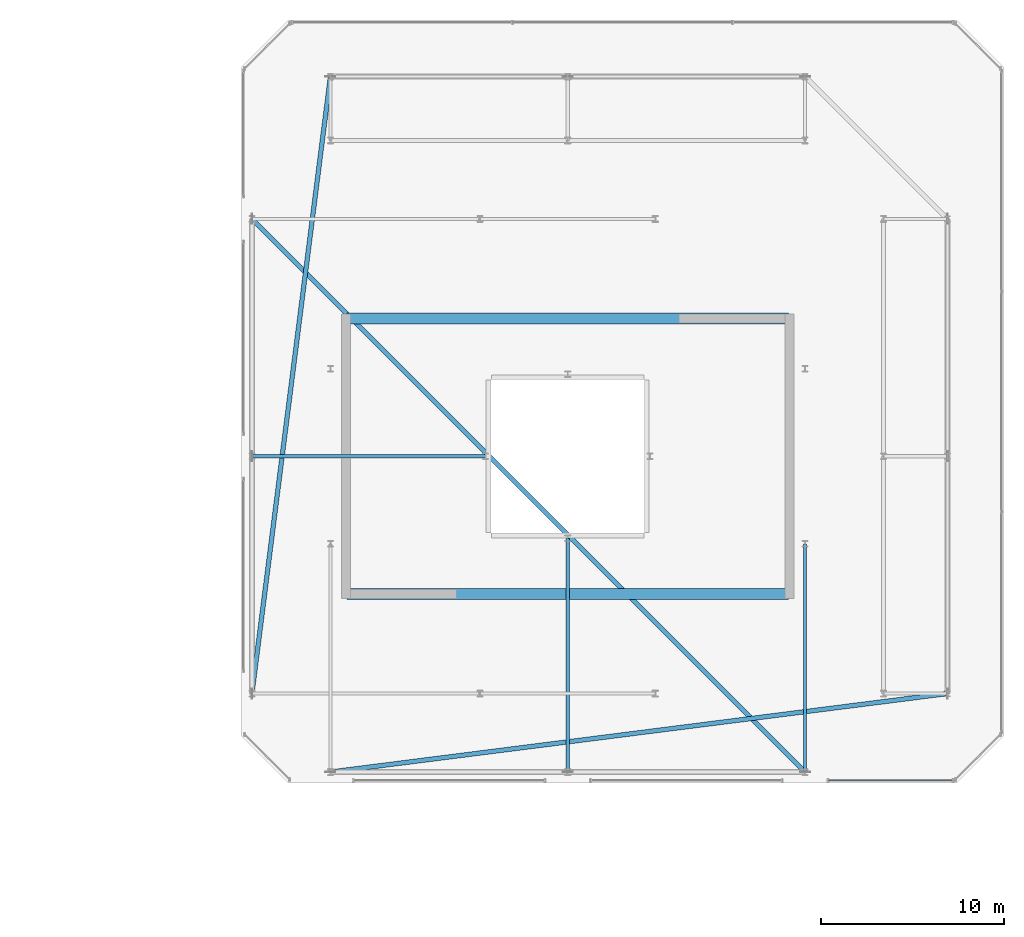
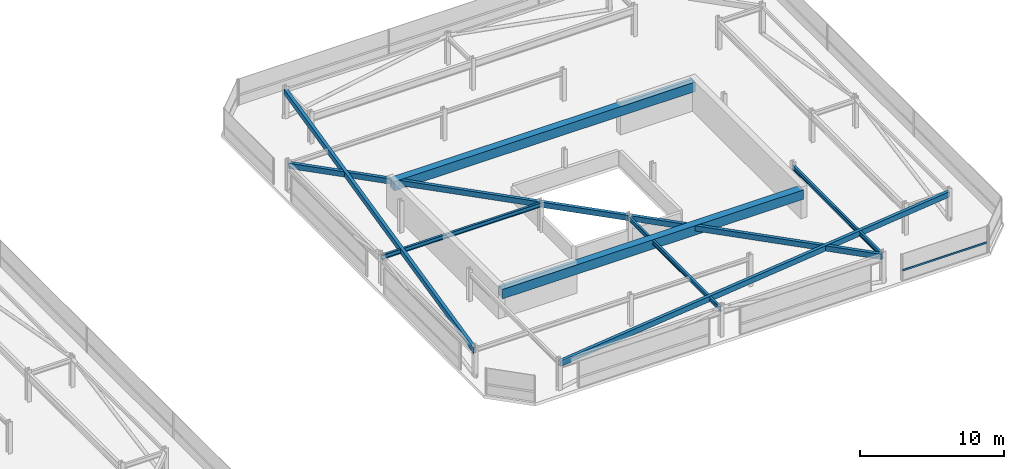
# One storey, part 30 of 42: 8 beams, 1 member, 1 element without a shape of its own.
"""IFC4 building model written with IfcOpenShell, lengths in metres."""

import ifcopenshell
import ifcopenshell.guid

model = None  # the IFC model being written
_history = None  # IfcOwnerHistory: only IFC2X3 demands one
_inside = {}  # id of a spatial element -> (the spatial element, [elements in it])
_under = {}  # id of a project, library or spatial element -> (it, [spatial elements below it])
_declared = {}  # id of a project -> (the project, [libraries it declares])
_typed = {}  # id of a type object -> (the type object, [elements of that type])
_made_of = {}  # id of a material, layer set ... -> (it, [elements and type objects made of it])


def new_model(schema):
    """Start an empty IFC model of exactly this schema.

    Asked for "IFC4X3", IfcOpenShell would pick the latest addendum, in which some entities
    have other attributes; the version numbers below select the first issue.
    IFC2X3 requires an IfcOwnerHistory on every rooted entity: one is made here for all.
    """
    global model, _history
    if schema == "IFC4X3":
        model = ifcopenshell.file(schema_version=(4, 3, 0, 0))
    else:
        model = ifcopenshell.file(schema=schema)
    _inside.clear()
    _under.clear()
    _declared.clear()
    _typed.clear()
    _made_of.clear()
    _history = None
    if model.schema == "IFC2X3":
        org = make("IfcOrganization", Name="unknown")
        user = make(
            "IfcPersonAndOrganization",
            ThePerson=make("IfcPerson", FamilyName="unknown"),
            TheOrganization=org,
        )
        app = make(
            "IfcApplication",
            ApplicationDeveloper=org,
            Version="unknown",
            ApplicationFullName="unknown",
            ApplicationIdentifier="unknown",
        )
        _history = make(
            "IfcOwnerHistory",
            OwningUser=user,
            OwningApplication=app,
            ChangeAction="ADDED",
            CreationDate=0,
        )
    return model


def make(cls, **values):
    """One entity of the class cls with the attributes given. An attribute that is None is left unset."""
    return model.create_entity(
        cls, **{name: value for name, value in values.items() if value is not None}
    )


def rooted(cls, **values):
    """An entity with a GlobalId (a new one), such as an element, a storey or a relation."""
    return make(cls, GlobalId=ifcopenshell.guid.new(), OwnerHistory=_history, **values)


def si_unit(unit_type, name, prefix=None):
    """IfcSIUnit, for example si_unit("LENGTHUNIT", "METRE", prefix="MILLI")."""
    return make("IfcSIUnit", UnitType=unit_type, Prefix=prefix, Name=name)


def assignment(units):
    """IfcUnitAssignment: the units of a project."""
    return None if units is None else make("IfcUnitAssignment", Units=units)


def point(xyz):
    """IfcCartesianPoint."""
    return None if xyz is None else make("IfcCartesianPoint", Coordinates=xyz)


def direction(xyz):
    """IfcDirection."""
    return None if xyz is None else make("IfcDirection", DirectionRatios=xyz)


def frame(location, z_axis=None, x_axis=None):
    """IfcAxis2Placement3D, a coordinate frame: its origin and axes. An axis left out is left unset."""
    return make(
        "IfcAxis2Placement3D",
        Location=point(location),
        Axis=direction(z_axis),
        RefDirection=direction(x_axis),
    )


def frame_2d(location, x_axis=None):
    """IfcAxis2Placement2D, a coordinate frame in the plane: its origin and x axis."""
    return make(
        "IfcAxis2Placement2D", Location=point(location), RefDirection=direction(x_axis)
    )


def origin():
    """The frame at (0, 0, 0) with its axes left unset."""
    return frame((0.0, 0.0, 0.0))


def origin_2d():
    """The frame at (0, 0) in the plane with its x axis left unset."""
    return frame_2d((0.0, 0.0))


def place(relative_to, where):
    """IfcLocalPlacement: puts the frame where relative to a parent placement (None: the world)."""
    return make(
        "IfcLocalPlacement", PlacementRelTo=relative_to, RelativePlacement=where
    )


def context(
    kind, dimensions, precision=None, world=None, true_north=None, identifier=None
):
    """IfcGeometricRepresentationContext, for example the 3D "Model" context."""
    return make(
        "IfcGeometricRepresentationContext",
        ContextIdentifier=identifier,
        ContextType=kind,
        CoordinateSpaceDimension=dimensions,
        Precision=precision,
        WorldCoordinateSystem=world,
        TrueNorth=true_north,
    )


def subcontext(parent, identifier, kind, view, scale=None):
    """IfcGeometricRepresentationSubContext, for example "Body" below "Model"."""
    return make(
        "IfcGeometricRepresentationSubContext",
        ContextIdentifier=identifier,
        ContextType=kind,
        ParentContext=parent,
        TargetScale=scale,
        TargetView=view,
    )


def project(units=None, contexts=None):
    """IfcProject with its units and contexts."""
    return rooted(
        "IfcProject",
        Name="project",
        RepresentationContexts=contexts,
        UnitsInContext=assignment(units),
    )


def spatial(cls, under=None, at=None, **own):
    """A site, building, storey or space (cls), placed at a placement, below another one or the project."""
    s = rooted(cls, ObjectPlacement=at, **own)
    if under is not None:
        _under.setdefault(under.id(), (under, []))[1].append(s)
    return s


def profile(cls, at=None, kind="AREA", **sizes):
    """A parametric profile (cls). Its sizes go by their IFC names, for example OverallWidth=200.0."""
    return make(cls, ProfileType=kind, Position=at, **sizes)


def rectangle(**sizes):
    """IfcRectangleProfileDef."""
    return profile("IfcRectangleProfileDef", **sizes)


def hollow_rectangle(**sizes):
    """IfcRectangleHollowProfileDef."""
    return profile("IfcRectangleHollowProfileDef", **sizes)


def i_section(**sizes):
    """IfcIShapeProfileDef."""
    return profile("IfcIShapeProfileDef", **sizes)


def extrude(swept, where, along, depth):
    """IfcExtrudedAreaSolid: the profile swept, set in the frame where, extruded along a direction by depth."""
    return make(
        "IfcExtrudedAreaSolid",
        SweptArea=swept,
        Position=where,
        ExtrudedDirection=direction(along),
        Depth=depth,
    )


def shape(context_of_items, identifier, shape_type, items):
    """IfcShapeRepresentation: the items that make up one representation, for example the "Body"."""
    return make(
        "IfcShapeRepresentation",
        ContextOfItems=context_of_items,
        RepresentationIdentifier=identifier,
        RepresentationType=shape_type,
        Items=items,
    )


def material(Name=None, Category=None):
    """IfcMaterial."""
    return make("IfcMaterial", Name=Name, Category=Category)


def material_profile(
    of_material, cross_section, Name=None, Category=None, Priority=None
):
    """IfcMaterialProfile: a cross section and its material."""
    return make(
        "IfcMaterialProfile",
        Name=Name,
        Material=of_material,
        Profile=cross_section,
        Priority=Priority,
        Category=Category,
    )


def profile_set(profiles, Name=None, composite=None):
    """IfcMaterialProfileSet."""
    return make(
        "IfcMaterialProfileSet",
        Name=Name,
        MaterialProfiles=profiles,
        CompositeProfile=composite,
    )


def made_of(thing, what):
    """Note that an element or type object is made of a material, layer set ...; save() writes the relation."""
    if what is not None:
        _made_of.setdefault(what.id(), (what, []))[1].append(thing)
    return thing


def type_object(cls, material=None, **own):
    """A type object (cls), such as IfcWallType, which elements share."""
    return made_of(rooted(cls, **own), material)


def element(
    cls,
    number,
    at=None,
    inside=None,
    cuts=None,
    type_object=None,
    material=None,
    context=None,
    identifier="Body",
    shape_type=None,
    held_by="IfcProductDefinitionShape",
    body=None,
    shapes=None,
    **own,
):
    """One element of the class cls, such as IfcWall. Its Tag is "e" and its number.

    at: its placement. inside: the storey or other place that contains it. cuts: it is an
    opening in that element (IfcRelVoidsElement). A single representation is given by context,
    identifier, shape_type and body (its items); several are given by shapes. held_by: the class
    of the entity that holds the representations. save() writes the other relations.
    """
    e = rooted(cls, Tag="e%d" % number, ObjectPlacement=at, **own)
    if body is not None:
        shapes = [shape(context, identifier, shape_type, body)]
    if shapes is not None:
        e.Representation = make(held_by, Representations=shapes)
    if inside is not None:
        _inside.setdefault(inside.id(), (inside, []))[1].append(e)
    if cuts is not None:
        rooted(
            "IfcRelVoidsElement", RelatingBuildingElement=cuts, RelatedOpeningElement=e
        )
    if type_object is not None:
        _typed.setdefault(type_object.id(), (type_object, []))[1].append(e)
    return made_of(e, material)


def aggregate(whole, parts):
    """IfcRelAggregates: a whole, such as a stair, and the parts it consists of."""
    return rooted("IfcRelAggregates", RelatingObject=whole, RelatedObjects=parts)


def save(model, path):
    """Write the relations noted so far, then the file.

    IfcRelAggregates (storeys below a building ...), IfcRelContainedInSpatialStructure (elements
    in a storey), IfcRelDefinesByType, IfcRelAssociatesMaterial and IfcRelDeclares: one each for
    every whole, place, type object, material and project.
    """
    for whole, parts in _under.values():
        aggregate(whole, parts)
    for where, things in _inside.values():
        rooted(
            "IfcRelContainedInSpatialStructure",
            RelatedElements=things,
            RelatingStructure=where,
        )
    for kind, things in _typed.values():
        rooted("IfcRelDefinesByType", RelatedObjects=things, RelatingType=kind)
    for what, things in _made_of.values():
        rooted("IfcRelAssociatesMaterial", RelatedObjects=things, RelatingMaterial=what)
    for by, libraries in _declared.values():
        rooted("IfcRelDeclares", RelatingContext=by, RelatedDefinitions=libraries)
    model.write(path)


model = new_model("IFC4")

# Units and contexts
model_context = context("Model", 3, precision=1e-05, world=origin(), true_north=direction((0.0, 1.0)))
body_context = subcontext(model_context, "Body", "Model", "MODEL_VIEW")
ifc_project = project(units=[si_unit("LENGTHUNIT", "METRE"), si_unit("AREAUNIT", "SQUARE_METRE"), si_unit("VOLUMEUNIT", "CUBIC_METRE"), si_unit("PLANEANGLEUNIT", "RADIAN"), si_unit("MASSUNIT", "GRAM", prefix="KILO")], contexts=[model_context])

# Site, building, storey
site_placement = place(None, origin())
site = spatial("IfcSite", under=ifc_project, at=site_placement, CompositionType="ELEMENT")
building_placement = place(site_placement, origin())
building = spatial("IfcBuilding", under=site, at=building_placement, Name="Thornwick Lancets Civic Towers", CompositionType="ELEMENT")
storey_placement = place(building_placement, frame((0.0, 0.0, 289.5)))
storey = spatial("IfcBuildingStorey", under=building, at=storey_placement, Name="C04", CompositionType="ELEMENT", Elevation=289.5)

# Beams
ifc_material_1 = material(Name="Concrete C60/75", Category="concrete")
ifc_material_profile_1 = material_profile(ifc_material_1, rectangle(XDim=0.60009765625, YDim=0.800048828125, at=origin_2d()), Name="RC 600x800")
ifc_profile_set_1 = profile_set([ifc_material_profile_1], Name="Concrete C60/75")
beam_type_1 = type_object("IfcBeamType", Name="BM_COUP_RC800", PredefinedType="BEAM", material=ifc_profile_set_1)
for number, where, z_axis, x_axis, name in (
    (1, (76.39990234375, 34.550048828125, 2.0400390625), (1.0, 0.0, 0.0), (0.0, 1.0, 0.0), "CB-C04-B1"),
    (2, (76.39990234375, 19.449951171875, 2.0400390625), (1.0, 0.0, 0.0), (0.0, 1.0, 0.0), "CB-C04-B2"),
):
    element("IfcBeam", number, at=place(storey_placement, frame(where, z_axis=z_axis, x_axis=x_axis)), inside=storey, type_object=beam_type_1, Name=name, PredefinedType="BEAM", context=body_context, shape_type="SweptSolid", body=[
        extrude(rectangle(XDim=0.60009765625, YDim=0.800048828125, at=origin_2d()), origin(), (0.0, 0.0, 1.0), 24.2001953125),
    ])
ifc_material_2 = material(Name="Steel S355JR", Category="steel")
ifc_material_profile_2 = material_profile(ifc_material_2, i_section(OverallWidth=0.173095703125, OverallDepth=0.36328125, WebThickness=0.009033203125, FlangeThickness=0.015625, FilletRadius=0.01025390625, at=origin_2d()), Name="UKB 356x171x67")
ifc_profile_set_2 = profile_set([ifc_material_profile_2], Name="Steel S355JR")
beam_type_2 = type_object("IfcBeamType", Name="BM_JOIST_356_67", PredefinedType="JOIST", material=ifc_profile_set_2)
beam_1_placement = place(storey_placement, frame((84.0, 27.0, 2.25830078125), z_axis=(-1.0, 0.0, 0.0), x_axis=(0.0, -1.0, 0.0)))
element("IfcBeam", 3, at=beam_1_placement, inside=storey, type_object=beam_type_2, Name="BM-RADIN-C04-B08", PredefinedType="JOIST", context=body_context, shape_type="SweptSolid", body=[
    extrude(i_section(OverallWidth=0.173095703125, OverallDepth=0.36328125, WebThickness=0.009033203125, FlangeThickness=0.015625, FilletRadius=0.01025390625, at=origin_2d()), origin(), (0.0, 0.0, 1.0), 12.800048828125),
])
beam_2_placement = place(storey_placement, frame((101.5, 22.199951171875, 2.25830078125), z_axis=(0.0, -1.0, 0.0), x_axis=(1.0, 0.0, 0.0)))
element("IfcBeam", 4, at=beam_2_placement, inside=storey, type_object=beam_type_2, Name="BM-RADIN-C04-B10", PredefinedType="JOIST", context=body_context, shape_type="SweptSolid", body=[
    extrude(i_section(OverallWidth=0.173095703125, OverallDepth=0.36328125, WebThickness=0.009033203125, FlangeThickness=0.015625, FilletRadius=0.01025390625, at=origin_2d()), origin(), (0.0, 0.0, 1.0), 12.5),
])
beam_3_placement = place(storey_placement, frame((88.5, 22.5, 2.25830078125), z_axis=(0.0, -1.0, 0.0), x_axis=(1.0, 0.0, 0.0)))
element("IfcBeam", 5, at=beam_3_placement, inside=storey, type_object=beam_type_2, Name="BM-RADIN-C04-B11", PredefinedType="JOIST", context=body_context, shape_type="SweptSolid", body=[
    extrude(i_section(OverallWidth=0.173095703125, OverallDepth=0.36328125, WebThickness=0.009033203125, FlangeThickness=0.015625, FilletRadius=0.01025390625, at=origin_2d()), origin(), (0.0, 0.0, 1.0), 12.800048828125),
])
ifc_material_profile_3 = material_profile(ifc_material_2, hollow_rectangle(XDim=0.25, YDim=0.449951171875, WallThickness=0.01611328125, at=origin_2d()), Name="RHS 450x250x16")
ifc_profile_set_3 = profile_set([ifc_material_profile_3], Name="Steel S355JR")
beam_type_3 = type_object("IfcBeamType", Name="BM_RING_RHS450", PredefinedType="BEAM", material=ifc_profile_set_3)
beam_4_placement = place(storey_placement, frame((75.5, 47.800048828125, 2.215087890625), z_axis=(-0.126202998662, -0.992004437051, 0.0), x_axis=(0.992004437051, -0.126202998662, 0.0)))
element("IfcBeam", 6, at=beam_4_placement, inside=storey, type_object=beam_type_3, Name="BM-CHAMF-C04-B-C1", PredefinedType="BEAM", context=body_context, shape_type="SweptSolid", body=[
    extrude(hollow_rectangle(XDim=0.25, YDim=0.449951171875, WallThickness=0.01611328125, at=origin_2d()), origin(), (0.0, 0.0, 1.0), 34.072509765625),
])
beam_5_placement = place(storey_placement, frame((71.199951171875, 40.0, 2.215087890625), z_axis=(0.707106781187, -0.707106781187, 0.0), x_axis=(0.707106781187, 0.707106781187, 0.0)))
element("IfcBeam", 7, at=beam_5_placement, inside=storey, type_object=beam_type_3, Name="BM-CHAMF-C04-B-C2", PredefinedType="BEAM", context=body_context, shape_type="SweptSolid", body=[
    extrude(hollow_rectangle(XDim=0.25, YDim=0.449951171875, WallThickness=0.01611328125, at=origin_2d()), origin(), (0.0, 0.0, 1.0), 42.850830078125),
])
beam_6_placement = place(storey_placement, frame((75.5, 9.699951171875, 2.215087890625), z_axis=(0.992004437051, 0.126202998662, 0.0), x_axis=(-0.126202998662, 0.992004437051, 0.0)))
element("IfcBeam", 8, at=beam_6_placement, inside=storey, type_object=beam_type_3, Name="BM-CHAMF-C04-B-C3", PredefinedType="BEAM", context=body_context, shape_type="SweptSolid", body=[
    extrude(hollow_rectangle(XDim=0.25, YDim=0.449951171875, WallThickness=0.01611328125, at=origin_2d()), origin(), (0.0, 0.0, 1.0), 34.072509765625),
])

# Curtain wall, member
ifc_material_3 = material(Name="Crown ring acoustic-louvre and glazing screen wall", Category="glass")
curtain_wall_type = type_object("IfcCurtainWallType", Name="CW_SYS_07", PredefinedType="NOTDEFINED", material=ifc_material_3)
curtain_wall_placement = place(storey_placement, origin())
curtain_wall = element("IfcCurtainWall", 9, at=curtain_wall_placement, inside=storey, type_object=curtain_wall_type, Name="C04 Curtain Wall CW-C04-B-E0-S3", PredefinedType="NOTDEFINED")
ifc_material_4 = material(Name="Thermally broken bronze aluminium S355", Category="steel")
ifc_material_profile_4 = material_profile(ifc_material_4, hollow_rectangle(XDim=0.074951171875, YDim=0.14990234375, WallThickness=0.0048828125, at=origin_2d()), Name="RHS 150x75x5")
ifc_profile_set_4 = profile_set([ifc_material_profile_4], Name="Thermally broken bronze aluminium S355")
member_type = type_object("IfcMemberType", Name="CW_TRN_150", PredefinedType="USERDEFINED", material=ifc_profile_set_4)
member_placement = place(storey_placement, frame((102.77001953125, 9.2353515625, 0.85009765625), z_axis=(1.0, 0.0, 0.0), x_axis=(0.0, 1.0, 0.0)))
member = element("IfcMember", 10, at=member_placement, type_object=member_type, Name="CW-C04-B-E0-S3 Transom 0", ObjectType="TRANSOM", PredefinedType="USERDEFINED", context=body_context, shape_type="SweptSolid", body=[
    extrude(hollow_rectangle(XDim=0.074951171875, YDim=0.14990234375, WallThickness=0.0048828125, at=origin_2d()), origin(), (0.0, 0.0, 1.0), 6.811279296875),
])
aggregate(curtain_wall, [member])

save(model, "model.ifc")
